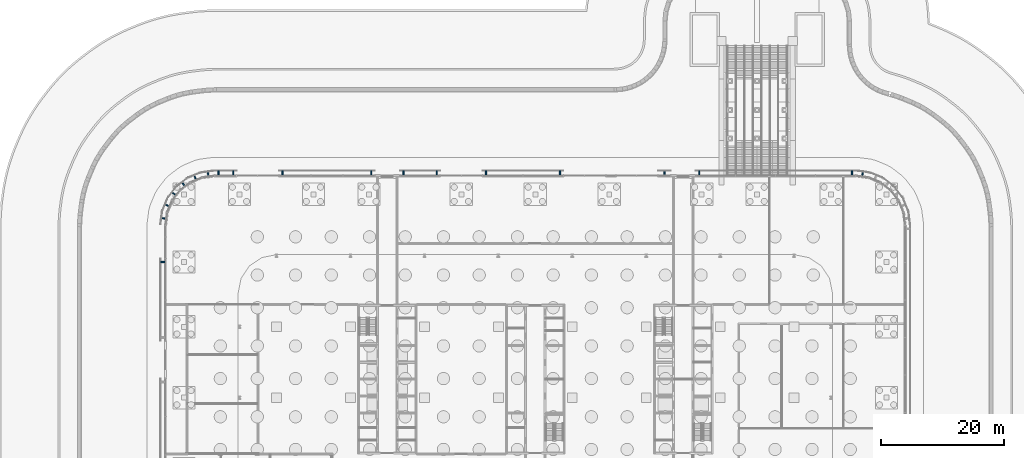
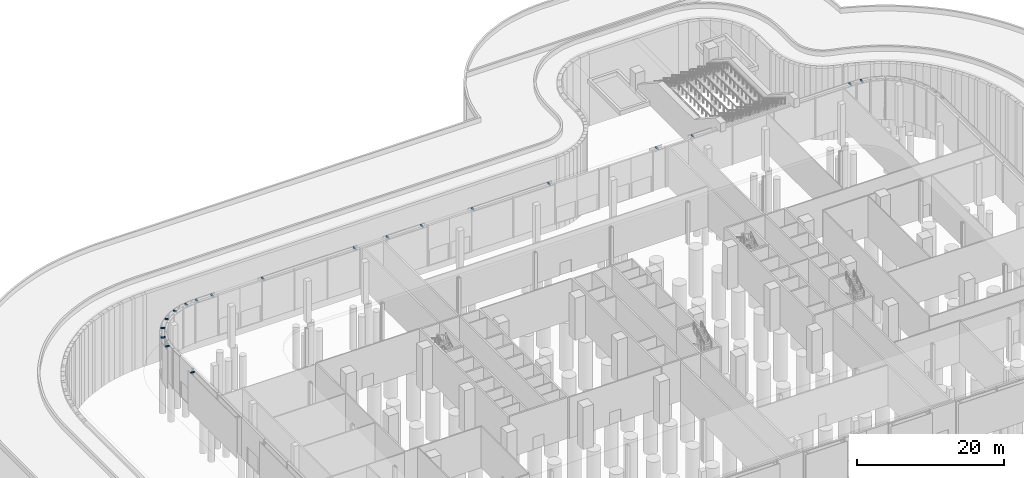
# One storey, part 34 of 48: 19 discrete accessories.
"""IFC4 building model written with IfcOpenShell, lengths in metres."""

from ifc_helpers import new_model, si_unit, direction, frame, origin, origin_2d, place, context, subcontext, project, spatial, rectangle, extrude, material, type_object, element, save


model = new_model("IFC4")

# Units and contexts
model_context = context("Model", 3, precision=1e-05, world=origin(), true_north=direction((0.0, 1.0)))
body_context = subcontext(model_context, "Body", "Model", "MODEL_VIEW")
ifc_project = project(units=[si_unit("LENGTHUNIT", "METRE"), si_unit("AREAUNIT", "SQUARE_METRE"), si_unit("VOLUMEUNIT", "CUBIC_METRE"), si_unit("PLANEANGLEUNIT", "RADIAN"), si_unit("MASSUNIT", "GRAM", prefix="KILO")], contexts=[model_context])

# Site, building, storey
site_placement = place(None, origin())
site = spatial("IfcSite", under=ifc_project, at=site_placement, CompositionType="ELEMENT")
building_placement = place(site_placement, origin())
building = spatial("IfcBuilding", under=site, at=building_placement, Name="Mahtab Terrace Research Tower", CompositionType="ELEMENT")
storey_placement = place(building_placement, origin())
storey = spatial("IfcBuildingStorey", under=building, at=storey_placement, Name="G", CompositionType="ELEMENT", Elevation=0.0)

# Discrete accessories
ifc_material = material(Name="Black anodised aluminium", Category="aluminium")
discrete_accessory_type = type_object("IfcDiscreteAccessoryType", Name="Facade bracket", PredefinedType="BRACKET", material=ifc_material)
for number, where, z_axis, x_axis, name in (
    (1, (53.09765625, 36.33447265625, 6.39990234375), (0.0, 0.0, 1.0), (-0.991423309059, 0.130689793992, 0.0), "Screen bracket Girih screen ground N1"),
    (2, (51.39990234375, 36.47509765625, 6.39990234375), (0.0, 0.0, 1.0), (-1.0, 0.0, 0.0), "Screen bracket Girih screen ground N1"),
    (3, (26.60009765625, 36.47509765625, 6.39990234375), (0.0, 0.0, 1.0), (-1.0, 0.0, 0.0), "Screen bracket Girih screen ground N1"),
    (4, (20.949951171875, 36.47509765625, 6.39990234375), (0.0, 0.0, 1.0), (-1.0, 0.0, 0.0), "Screen bracket Girih screen ground N3"),
    (5, (4.0, 36.47509765625, 6.39990234375), (0.0, 0.0, 1.0), (-1.0, 0.0, 0.0), "Screen bracket Girih screen ground N9"),
    (6, (-8.0, 36.47509765625, 6.39990234375), (0.0, 0.0, 1.0), (-1.0, 0.0, 0.0), "Screen bracket Girih screen ground N9"),
    (7, (-16.0, 36.47509765625, 6.39990234375), (0.0, 0.0, 1.0), (-1.0, 0.0, 0.0), "Screen bracket Girih screen ground N12"),
    (8, (-21.39990234375, 36.47509765625, 6.39990234375), (0.0, 0.0, 1.0), (-1.0, 0.0, 0.0), "Screen bracket Girih screen ground N12"),
    (9, (-26.60009765625, 36.47509765625, 6.39990234375), (0.0, 0.0, 1.0), (-1.0, 0.0, 0.0), "Screen bracket Girih screen ground N14"),
    (10, (-41.0, 36.47509765625, 6.39990234375), (0.0, 0.0, 1.0), (-1.0, 0.0, 0.0), "Screen bracket Girih screen ground N14"),
    (11, (-49.0, 36.47509765625, 6.39990234375), (0.0, 0.0, 1.0), (-1.0, 0.0, 0.0), "Screen bracket Girih screen ground N17"),
    (12, (-51.39990234375, 36.47509765625, 6.39990234375), (0.0, 0.0, 1.0), (-1.0, 0.0, 0.0), "Screen bracket Girih screen ground N17"),
    (13, (-53.09765625, 36.33447265625, 6.39990234375), (0.0, 0.0, 1.0), (-0.991423309059, -0.130689793992, 0.0), "Screen bracket Girih screen ground N1"),
    (14, (-55.21728515625, 35.766357421875, 6.39990234375), (0.0, 0.0, 1.0), (-0.923882573998, -0.382676089485, 0.0), "Screen bracket Girih screen ground N1"),
    (15, (-57.11767578125, 34.66943359375, 6.39990234375), (0.0, 0.0, 1.0), (-0.793459901021, -0.60862253119, 0.0), "Screen bracket Girih screen ground N1"),
    (16, (-58.66943359375, 33.11767578125, 6.39990234375), (0.0, 0.0, 1.0), (-0.60862253119, -0.793459901021, 0.0), "Screen bracket Girih screen ground W1"),
    (17, (-59.766357421875, 31.21728515625, 6.39990234375), (0.0, 0.0, 1.0), (-0.382676089485, -0.923882573998, 0.0), "Screen bracket Girih screen ground W1"),
    (18, (-60.33447265625, 29.09765625, 6.39990234375), (0.0, 0.0, 1.0), (-0.130689793992, -0.991423309059, 0.0), "Screen bracket Girih screen ground W1"),
    (19, (-60.47509765625, 22.0, 6.39990234375), (0.0, 0.0, 1.0), (0.0, -1.0, 0.0), "Screen bracket Girih screen ground W3"),
):
    element("IfcDiscreteAccessory", number, at=place(storey_placement, frame(where, z_axis=z_axis, x_axis=x_axis)), inside=storey, type_object=discrete_accessory_type, Name=name, PredefinedType="BRACKET", context=body_context, shape_type="SweptSolid", body=[
        extrude(rectangle(XDim=0.199951171875, YDim=0.64990234375, at=origin_2d()), origin(), (0.0, 0.0, 1.0), 0.199951171875),
    ])

save(model, "model.ifc")
